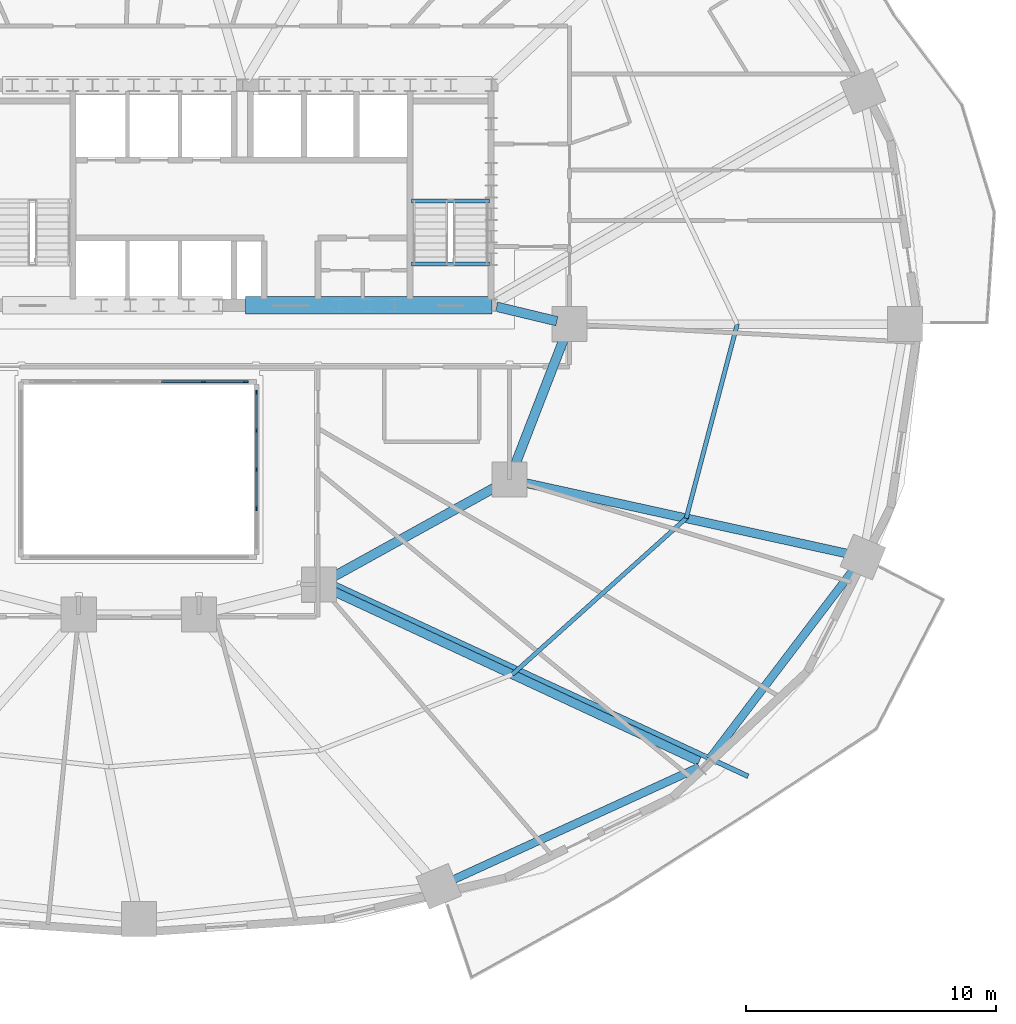
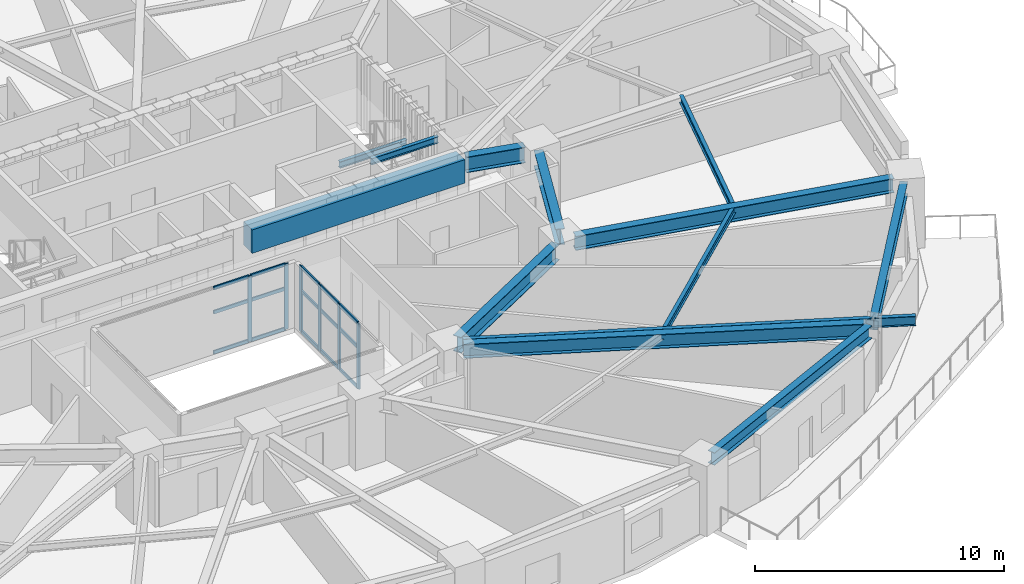
# One storey, part 6 of 18: 21 members, 13 beams, 2 elements without a shape of their own.
"""IFC4 building model written with IfcOpenShell, lengths in metres."""

from ifc_helpers import new_model, si_unit, direction, frame, origin, origin_2d, place, context, subcontext, project, spatial, rectangle, i_section, extrude, material, material_profile, profile_set, type_object, element, aggregate, save


model = new_model("IFC4")

# Units and contexts
model_context = context("Model", 3, precision=1e-05, world=origin(), true_north=direction((0.0, 1.0)))
body_context = subcontext(model_context, "Body", "Model", "MODEL_VIEW")
ifc_project = project(units=[si_unit("LENGTHUNIT", "METRE"), si_unit("AREAUNIT", "SQUARE_METRE"), si_unit("VOLUMEUNIT", "CUBIC_METRE"), si_unit("PLANEANGLEUNIT", "RADIAN"), si_unit("MASSUNIT", "GRAM", prefix="KILO")], contexts=[model_context])

# Site, building, storey
site_placement = place(None, origin())
site = spatial("IfcSite", under=ifc_project, at=site_placement, CompositionType="ELEMENT")
building_placement = place(site_placement, origin())
building = spatial("IfcBuilding", under=site, at=building_placement, Name="Haldorwick Loom Tower", CompositionType="ELEMENT")
storey_placement = place(building_placement, frame((0.0, 0.0, 41.25)))
storey = spatial("IfcBuildingStorey", under=building, at=storey_placement, Name="L10", CompositionType="ELEMENT", Elevation=41.25)

# Curtain wall, members
ifc_material_1 = material(Name="Thermally Broken Anodized Aluminium Curtain Wall Framing", Category="aluminium")
curtain_wall_type = type_object("IfcCurtainWallType", Name="ARC-CW-03", PredefinedType="NOTDEFINED", material=ifc_material_1)
curtain_wall_1_placement = place(storey_placement, origin())
curtain_wall_1 = element("IfcCurtainWall", 1, at=curtain_wall_1_placement, inside=storey, type_object=curtain_wall_type, Name="L10 Atrium Glazed Screen N", PredefinedType="NOTDEFINED")
ifc_material_profile_1 = material_profile(ifc_material_1, rectangle(XDim=0.06591796875, YDim=0.18505859375, at=origin_2d()), Name="ALU_MUL_66X185", Category="aluminium")
ifc_profile_set_1 = profile_set([ifc_material_profile_1], Name="Thermally Broken Anodized Aluminium Curtain Wall Framing")
member_type_1 = type_object("IfcMemberType", Name="ARC-CWM-03", PredefinedType="MULLION", material=ifc_profile_set_1)
member_1_placement = place(storey_placement, frame((38.580078125, 23.699951171875, 0.0), z_axis=(0.0, 0.0, 1.0), x_axis=(0.0, 1.0, 0.0)))
member_1 = element("IfcMember", 2, at=member_1_placement, type_object=member_type_1, Name="CW-03 mullion 5", PredefinedType="MULLION", context=body_context, shape_type="SweptSolid", body=[
    extrude(rectangle(XDim=0.06591796875, YDim=0.18505859375, at=origin_2d()), origin(), (0.0, 0.0, 1.0), 3.2099609375),
])
member_2_placement = place(storey_placement, frame((40.26708984375, 23.699951171875, 0.0), z_axis=(0.0, 0.0, 1.0), x_axis=(0.0, 1.0, 0.0)))
member_2 = element("IfcMember", 3, at=member_2_placement, type_object=member_type_1, Name="CW-03 mullion 6", PredefinedType="MULLION", context=body_context, shape_type="SweptSolid", body=[
    extrude(rectangle(XDim=0.06591796875, YDim=0.18505859375, at=origin_2d()), origin(), (0.0, 0.0, 1.0), 3.2099609375),
])

curtain_wall_2_placement = place(storey_placement, origin())
curtain_wall_2 = element("IfcCurtainWall", 4, at=curtain_wall_2_placement, inside=storey, type_object=curtain_wall_type, Name="L10 Atrium Glazed Screen E", PredefinedType="NOTDEFINED")
member_3_placement = place(storey_placement, frame((40.699951171875, 23.26708984375, 0.0), z_axis=(0.0, 0.0, 1.0), x_axis=(1.0, 0.0, 0.0)))
member_3 = element("IfcMember", 5, at=member_3_placement, type_object=member_type_1, Name="CW-03 mullion 1", PredefinedType="MULLION", context=body_context, shape_type="SweptSolid", body=[
    extrude(rectangle(XDim=0.06591796875, YDim=0.18505859375, at=origin_2d()), origin(), (0.0, 0.0, 1.0), 3.2099609375),
])
member_4_placement = place(storey_placement, frame((40.699951171875, 21.75, 0.0), z_axis=(0.0, 0.0, 1.0), x_axis=(1.0, 0.0, 0.0)))
member_4 = element("IfcMember", 6, at=member_4_placement, type_object=member_type_1, Name="CW-03 mullion 2", PredefinedType="MULLION", context=body_context, shape_type="SweptSolid", body=[
    extrude(rectangle(XDim=0.06591796875, YDim=0.18505859375, at=origin_2d()), origin(), (0.0, 0.0, 1.0), 3.2099609375),
])
member_5_placement = place(storey_placement, frame((40.699951171875, 20.199951171875, 0.0), z_axis=(0.0, 0.0, 1.0), x_axis=(1.0, 0.0, 0.0)))
member_5 = element("IfcMember", 7, at=member_5_placement, type_object=member_type_1, Name="CW-03 mullion 3", PredefinedType="MULLION", context=body_context, shape_type="SweptSolid", body=[
    extrude(rectangle(XDim=0.06591796875, YDim=0.18505859375, at=origin_2d()), origin(), (0.0, 0.0, 1.0), 3.2099609375),
])
member_6_placement = place(storey_placement, frame((40.699951171875, 18.64990234375, 0.0), z_axis=(0.0, 0.0, 1.0), x_axis=(1.0, 0.0, 0.0)))
member_6 = element("IfcMember", 8, at=member_6_placement, type_object=member_type_1, Name="CW-03 mullion 4", PredefinedType="MULLION", context=body_context, shape_type="SweptSolid", body=[
    extrude(rectangle(XDim=0.06591796875, YDim=0.18505859375, at=origin_2d()), origin(), (0.0, 0.0, 1.0), 3.2099609375),
])

# Member
ifc_material_profile_2 = material_profile(ifc_material_1, rectangle(XDim=0.06591796875, YDim=0.1650390625, at=origin_2d()), Name="ALU_TRN_66X165", Category="aluminium")
ifc_profile_set_2 = profile_set([ifc_material_profile_2], Name="Thermally Broken Anodized Aluminium Curtain Wall Framing")
member_type_2 = type_object("IfcMemberType", Name="ARC-CWT-03", PredefinedType="USERDEFINED", material=ifc_profile_set_2)
member_7_placement = place(storey_placement, frame((36.89306640625, 23.699951171875, 0.032958984375), z_axis=(1.0, 0.0, 0.0), x_axis=(0.0, 1.0, 0.0)))
member_7 = element("IfcMember", 9, at=member_7_placement, type_object=member_type_2, Name="CW-03 transom 4.1", ObjectType="TRANSOM", PredefinedType="USERDEFINED", context=body_context, shape_type="SweptSolid", body=[
    extrude(rectangle(XDim=0.06591796875, YDim=0.1650390625, at=origin_2d()), origin(), (0.0, 0.0, 1.0), 1.654052734375),
])

member_8_placement = place(storey_placement, frame((36.89306640625, 23.699951171875, 2.0), z_axis=(1.0, 0.0, 0.0), x_axis=(0.0, 1.0, 0.0)))
member_8 = element("IfcMember", 10, at=member_8_placement, type_object=member_type_2, Name="CW-03 transom 4.2", ObjectType="TRANSOM", PredefinedType="USERDEFINED", context=body_context, shape_type="SweptSolid", body=[
    extrude(rectangle(XDim=0.06591796875, YDim=0.1650390625, at=origin_2d()), origin(), (0.0, 0.0, 1.0), 1.654052734375),
])

member_9_placement = place(storey_placement, frame((36.89306640625, 23.699951171875, 3.177001953125), z_axis=(1.0, 0.0, 0.0), x_axis=(0.0, 1.0, 0.0)))
member_9 = element("IfcMember", 11, at=member_9_placement, type_object=member_type_2, Name="CW-03 transom 4.3", ObjectType="TRANSOM", PredefinedType="USERDEFINED", context=body_context, shape_type="SweptSolid", body=[
    extrude(rectangle(XDim=0.06591796875, YDim=0.1650390625, at=origin_2d()), origin(), (0.0, 0.0, 1.0), 1.654052734375),
])

member_10_placement = place(storey_placement, frame((38.613037109375, 23.699951171875, 0.032958984375), z_axis=(1.0, 0.0, 0.0), x_axis=(0.0, 1.0, 0.0)))
member_10 = element("IfcMember", 12, at=member_10_placement, type_object=member_type_2, Name="CW-03 transom 5.1", ObjectType="TRANSOM", PredefinedType="USERDEFINED", context=body_context, shape_type="SweptSolid", body=[
    extrude(rectangle(XDim=0.06591796875, YDim=0.1650390625, at=origin_2d()), origin(), (0.0, 0.0, 1.0), 1.620849609375),
])

member_11_placement = place(storey_placement, frame((38.613037109375, 23.699951171875, 2.0), z_axis=(1.0, 0.0, 0.0), x_axis=(0.0, 1.0, 0.0)))
member_11 = element("IfcMember", 13, at=member_11_placement, type_object=member_type_2, Name="CW-03 transom 5.2", ObjectType="TRANSOM", PredefinedType="USERDEFINED", context=body_context, shape_type="SweptSolid", body=[
    extrude(rectangle(XDim=0.06591796875, YDim=0.1650390625, at=origin_2d()), origin(), (0.0, 0.0, 1.0), 1.620849609375),
])

member_12_placement = place(storey_placement, frame((38.613037109375, 23.699951171875, 3.177001953125), z_axis=(1.0, 0.0, 0.0), x_axis=(0.0, 1.0, 0.0)))
member_12 = element("IfcMember", 14, at=member_12_placement, type_object=member_type_2, Name="CW-03 transom 5.3", ObjectType="TRANSOM", PredefinedType="USERDEFINED", context=body_context, shape_type="SweptSolid", body=[
    extrude(rectangle(XDim=0.06591796875, YDim=0.1650390625, at=origin_2d()), origin(), (0.0, 0.0, 1.0), 1.620849609375),
])

aggregate(curtain_wall_1, [member_1, member_2, member_7, member_8, member_9, member_10, member_11, member_12])

member_13_placement = place(storey_placement, frame((40.699951171875, 23.23388671875, 0.032958984375), z_axis=(0.0, -1.0, 0.0), x_axis=(1.0, 0.0, 0.0)))
member_13 = element("IfcMember", 15, at=member_13_placement, type_object=member_type_2, Name="CW-03 transom 1.1", ObjectType="TRANSOM", PredefinedType="USERDEFINED", context=body_context, shape_type="SweptSolid", body=[
    extrude(rectangle(XDim=0.06591796875, YDim=0.1650390625, at=origin_2d()), origin(), (0.0, 0.0, 1.0), 1.450927734375),
])

member_14_placement = place(storey_placement, frame((40.699951171875, 23.23388671875, 2.0), z_axis=(0.0, -1.0, 0.0), x_axis=(1.0, 0.0, 0.0)))
member_14 = element("IfcMember", 16, at=member_14_placement, type_object=member_type_2, Name="CW-03 transom 1.2", ObjectType="TRANSOM", PredefinedType="USERDEFINED", context=body_context, shape_type="SweptSolid", body=[
    extrude(rectangle(XDim=0.06591796875, YDim=0.1650390625, at=origin_2d()), origin(), (0.0, 0.0, 1.0), 1.450927734375),
])

member_15_placement = place(storey_placement, frame((40.699951171875, 23.23388671875, 3.177001953125), z_axis=(0.0, -1.0, 0.0), x_axis=(1.0, 0.0, 0.0)))
member_15 = element("IfcMember", 17, at=member_15_placement, type_object=member_type_2, Name="CW-03 transom 1.3", ObjectType="TRANSOM", PredefinedType="USERDEFINED", context=body_context, shape_type="SweptSolid", body=[
    extrude(rectangle(XDim=0.06591796875, YDim=0.1650390625, at=origin_2d()), origin(), (0.0, 0.0, 1.0), 1.450927734375),
])

member_16_placement = place(storey_placement, frame((40.699951171875, 21.717041015625, 0.032958984375), z_axis=(0.0, -1.0, 0.0), x_axis=(1.0, 0.0, 0.0)))
member_16 = element("IfcMember", 18, at=member_16_placement, type_object=member_type_2, Name="CW-03 transom 2.1", ObjectType="TRANSOM", PredefinedType="USERDEFINED", context=body_context, shape_type="SweptSolid", body=[
    extrude(rectangle(XDim=0.06591796875, YDim=0.1650390625, at=origin_2d()), origin(), (0.0, 0.0, 1.0), 1.484130859375),
])

member_17_placement = place(storey_placement, frame((40.699951171875, 21.717041015625, 2.0), z_axis=(0.0, -1.0, 0.0), x_axis=(1.0, 0.0, 0.0)))
member_17 = element("IfcMember", 19, at=member_17_placement, type_object=member_type_2, Name="CW-03 transom 2.2", ObjectType="TRANSOM", PredefinedType="USERDEFINED", context=body_context, shape_type="SweptSolid", body=[
    extrude(rectangle(XDim=0.06591796875, YDim=0.1650390625, at=origin_2d()), origin(), (0.0, 0.0, 1.0), 1.484130859375),
])

member_18_placement = place(storey_placement, frame((40.699951171875, 21.717041015625, 3.177001953125), z_axis=(0.0, -1.0, 0.0), x_axis=(1.0, 0.0, 0.0)))
member_18 = element("IfcMember", 20, at=member_18_placement, type_object=member_type_2, Name="CW-03 transom 2.3", ObjectType="TRANSOM", PredefinedType="USERDEFINED", context=body_context, shape_type="SweptSolid", body=[
    extrude(rectangle(XDim=0.06591796875, YDim=0.1650390625, at=origin_2d()), origin(), (0.0, 0.0, 1.0), 1.484130859375),
])

member_19_placement = place(storey_placement, frame((40.699951171875, 20.1669921875, 0.032958984375), z_axis=(0.0, -1.0, 0.0), x_axis=(1.0, 0.0, 0.0)))
member_19 = element("IfcMember", 21, at=member_19_placement, type_object=member_type_2, Name="CW-03 transom 3.1", ObjectType="TRANSOM", PredefinedType="USERDEFINED", context=body_context, shape_type="SweptSolid", body=[
    extrude(rectangle(XDim=0.06591796875, YDim=0.1650390625, at=origin_2d()), origin(), (0.0, 0.0, 1.0), 1.48388671875),
])

member_20_placement = place(storey_placement, frame((40.699951171875, 20.1669921875, 2.0), z_axis=(0.0, -1.0, 0.0), x_axis=(1.0, 0.0, 0.0)))
member_20 = element("IfcMember", 22, at=member_20_placement, type_object=member_type_2, Name="CW-03 transom 3.2", ObjectType="TRANSOM", PredefinedType="USERDEFINED", context=body_context, shape_type="SweptSolid", body=[
    extrude(rectangle(XDim=0.06591796875, YDim=0.1650390625, at=origin_2d()), origin(), (0.0, 0.0, 1.0), 1.48388671875),
])

member_21_placement = place(storey_placement, frame((40.699951171875, 20.1669921875, 3.177001953125), z_axis=(0.0, -1.0, 0.0), x_axis=(1.0, 0.0, 0.0)))
member_21 = element("IfcMember", 23, at=member_21_placement, type_object=member_type_2, Name="CW-03 transom 3.3", ObjectType="TRANSOM", PredefinedType="USERDEFINED", context=body_context, shape_type="SweptSolid", body=[
    extrude(rectangle(XDim=0.06591796875, YDim=0.1650390625, at=origin_2d()), origin(), (0.0, 0.0, 1.0), 1.48388671875),
])

aggregate(curtain_wall_2, [member_3, member_4, member_5, member_6, member_13, member_14, member_15, member_16, member_17, member_18, member_19, member_20, member_21])

# Beams
ifc_material_2 = material(Name="Steel CSA G40.21 350W", Category="steel")
ifc_material_profile_3 = material_profile(ifc_material_2, i_section(OverallWidth=0.193115234375, OverallDepth=0.466064453125, WebThickness=0.011474609375, FlangeThickness=0.01904296875, at=origin_2d()), Name="W460X97", Category="steel")
ifc_profile_set_3 = profile_set([ifc_material_profile_3], Name="Steel CSA G40.21 350W")
beam_type_1 = type_object("IfcBeamType", Name="STR-BM-BAL460", PredefinedType="BEAM", material=ifc_profile_set_3)
beam_1_placement = place(storey_placement, frame((43.78955078125, 15.634765625, 2.97705078125), z_axis=(0.906835669686, -0.42148436292, 0.0), x_axis=(0.42148436292, 0.906835669686, 0.0)))
element("IfcBeam", 24, at=beam_1_placement, inside=storey, type_object=beam_type_1, Name="L10 Continuous Back-Spanned Balcony Beam 1", PredefinedType="BEAM", context=body_context, shape_type="SweptSolid", body=[
    extrude(i_section(OverallWidth=0.193115234375, OverallDepth=0.466064453125, WebThickness=0.011474609375, FlangeThickness=0.01904296875, at=origin_2d()), origin(), (0.0, 0.0, 1.0), 18.245361328125),
])
ifc_material_3 = material(Name="Concrete C60 (60 MPa)", Category="concrete")
ifc_material_profile_4 = material_profile(ifc_material_3, rectangle(XDim=0.699951171875, YDim=1.14990234375, at=origin_2d()), Name="RC700X1150", Category="concrete")
ifc_profile_set_4 = profile_set([ifc_material_profile_4], Name="Concrete C60 (60 MPa)")
beam_type_2 = type_object("IfcBeamType", Name="STR-BM-CB1150", PredefinedType="LINTEL", material=ifc_profile_set_4)
beam_2_placement = place(storey_placement, frame((40.25, 26.75, 2.635009765625), z_axis=(1.0, 0.0, 0.0), x_axis=(0.0, 1.0, 0.0)))
element("IfcBeam", 25, at=beam_2_placement, inside=storey, type_object=beam_type_2, Name="L10 Core Coupling Beam CB-S3", PredefinedType="LINTEL", context=body_context, shape_type="SweptSolid", body=[
    extrude(rectangle(XDim=0.699951171875, YDim=1.14990234375, at=origin_2d()), origin(), (0.0, 0.0, 1.0), 9.85009765625),
])
ifc_material_profile_5 = material_profile(ifc_material_2, i_section(OverallWidth=0.172119140625, OverallDepth=0.35791015625, WebThickness=0.0078125, FlangeThickness=0.01318359375, at=origin_2d()), Name="W360X57", Category="steel")
ifc_profile_set_5 = profile_set([ifc_material_profile_5], Name="Steel CSA G40.21 350W")
beam_type_3 = type_object("IfcBeamType", Name="STR-BM-J360", PredefinedType="JOIST", material=ifc_profile_set_5)
beam_3_placement = place(storey_placement, frame((50.9150390625, 12.01416015625, 3.031005859375), z_axis=(0.743981830112, 0.668199847698, 0.0), x_axis=(-0.668199847698, 0.743981830112, 0.0)))
element("IfcBeam", 26, at=beam_3_placement, inside=storey, type_object=beam_type_3, Name="L10 Mid-Bay Secondary Joist 15", PredefinedType="JOIST", context=body_context, shape_type="SweptSolid", body=[
    extrude(i_section(OverallWidth=0.172119140625, OverallDepth=0.35791015625, WebThickness=0.0078125, FlangeThickness=0.01318359375, at=origin_2d()), origin(), (0.0, 0.0, 1.0), 9.3330078125),
])
beam_4_placement = place(storey_placement, frame((57.858642578125, 18.25048828125, 3.031005859375), z_axis=(0.2544888003, 0.967075721193, 0.0), x_axis=(-0.967075721193, 0.2544888003, 0.0)))
element("IfcBeam", 27, at=beam_4_placement, inside=storey, type_object=beam_type_3, Name="L10 Mid-Bay Secondary Joist 16", PredefinedType="JOIST", context=body_context, shape_type="SweptSolid", body=[
    extrude(i_section(OverallWidth=0.172119140625, OverallDepth=0.35791015625, WebThickness=0.0078125, FlangeThickness=0.01318359375, at=origin_2d()), origin(), (0.0, 0.0, 1.0), 8.013427734375),
])
ifc_material_profile_6 = material_profile(ifc_material_2, i_section(OverallWidth=0.324951171875, OverallDepth=0.615966796875, WebThickness=0.013916015625, FlangeThickness=0.021484375, at=origin_2d()), Name="W610X174", Category="steel")
ifc_profile_set_6 = profile_set([ifc_material_profile_6], Name="Steel CSA G40.21 350W")
beam_type_4 = type_object("IfcBeamType", Name="STR-BM-SP610", PredefinedType="SPANDREL", material=ifc_profile_set_6)
beam_5_placement = place(storey_placement, frame((48.45068359375, 3.76611328125, 2.902099609375), z_axis=(0.909173805321, 0.416416848504, 0.0), x_axis=(-0.416416848504, 0.909173805321, 0.0)))
element("IfcBeam", 28, at=beam_5_placement, inside=storey, type_object=beam_type_4, Name="L10 Perimeter Spandrel 14", PredefinedType="SPANDREL", context=body_context, shape_type="SweptSolid", body=[
    extrude(i_section(OverallWidth=0.324951171875, OverallDepth=0.615966796875, WebThickness=0.013916015625, FlangeThickness=0.021484375, at=origin_2d()), origin(), (0.0, 0.0, 1.0), 10.92138671875),
])
beam_6_placement = place(storey_placement, frame((58.796630859375, 8.647216796875, 2.902099609375), z_axis=(0.605084557744, 0.796161213562, 0.0), x_axis=(-0.796161213562, 0.605084557744, 0.0)))
element("IfcBeam", 29, at=beam_6_placement, inside=storey, type_object=beam_type_4, Name="L10 Perimeter Spandrel 15", PredefinedType="SPANDREL", context=body_context, shape_type="SweptSolid", body=[
    extrude(i_section(OverallWidth=0.324951171875, OverallDepth=0.615966796875, WebThickness=0.013916015625, FlangeThickness=0.021484375, at=origin_2d()), origin(), (0.0, 0.0, 1.0), 9.595703125),
])
ifc_material_profile_7 = material_profile(ifc_material_2, i_section(OverallWidth=0.166015625, OverallDepth=0.31298828125, WebThickness=0.006591796875, FlangeThickness=0.01123046875, at=origin_2d()), Name="W310X45", Category="steel")
ifc_profile_set_7 = profile_set([ifc_material_profile_7], Name="Steel CSA G40.21 350W")
beam_type_5 = type_object("IfcBeamType", Name="STR-BM-STRM", PredefinedType="BEAM", material=ifc_profile_set_7)
for number, where, z_axis, x_axis, name in (
    (30, (46.889892578125, 28.39990234375, 3.053466796875), (1.0, 0.0, 0.0), (0.0, 1.0, 0.0), "L10 Stair ST-02 Landing Edge Trimmer"),
    (31, (46.889892578125, 30.919921875, 1.368408203125), (1.0, 0.0, 0.0), (0.0, 1.0, 0.0), "L10 Stair ST-02 Half-Landing Trimmer 1"),
):
    element("IfcBeam", number, at=place(storey_placement, frame(where, z_axis=z_axis, x_axis=x_axis)), inside=storey, type_object=beam_type_5, Name=name, PredefinedType="BEAM", context=body_context, shape_type="SweptSolid", body=[
        extrude(i_section(OverallWidth=0.166015625, OverallDepth=0.31298828125, WebThickness=0.006591796875, FlangeThickness=0.01123046875, at=origin_2d()), origin(), (0.0, 0.0, 1.0), 3.1201171875),
    ])
ifc_material_profile_8 = material_profile(ifc_material_2, i_section(OverallWidth=0.35498046875, OverallDepth=0.695068359375, WebThickness=0.015380859375, FlangeThickness=0.02490234375, at=origin_2d()), Name="W690X217", Category="steel")
ifc_profile_set_8 = profile_set([ifc_material_profile_8], Name="Steel CSA G40.21 350W")
beam_type_6 = type_object("IfcBeamType", Name="STR-BM-W690", PredefinedType="BEAM", material=ifc_profile_set_8)
beam_7_placement = place(storey_placement, frame((43.671630859375, 15.380859375, 2.862548828125), z_axis=(0.90683498532, -0.421485835349, 0.0), x_axis=(0.421485835349, 0.90683498532, 0.0)))
element("IfcBeam", 32, at=beam_7_placement, inside=storey, type_object=beam_type_6, Name="L10 Radial Floor Girder 15", PredefinedType="BEAM", context=body_context, shape_type="SweptSolid", body=[
    extrude(i_section(OverallWidth=0.35498046875, OverallDepth=0.695068359375, WebThickness=0.015380859375, FlangeThickness=0.02490234375, at=origin_2d()), origin(), (0.0, 0.0, 1.0), 16.220458984375),
])
beam_8_placement = place(storey_placement, frame((51.307861328125, 19.6884765625, 2.862548828125), z_axis=(0.976740159434, -0.214426353203, 0.0), x_axis=(0.214426353203, 0.976740159434, 0.0)))
element("IfcBeam", 33, at=beam_8_placement, inside=storey, type_object=beam_type_6, Name="L10 Radial Floor Girder 16", PredefinedType="BEAM", context=body_context, shape_type="SweptSolid", body=[
    extrude(i_section(OverallWidth=0.35498046875, OverallDepth=0.695068359375, WebThickness=0.015380859375, FlangeThickness=0.02490234375, at=origin_2d()), origin(), (0.0, 0.0, 1.0), 13.41357421875),
])
ifc_material_profile_9 = material_profile(ifc_material_2, i_section(OverallWidth=0.381103515625, OverallDepth=0.77294921875, WebThickness=0.0166015625, FlangeThickness=0.027587890625, at=origin_2d()), Name="W760X257", Category="steel")
ifc_profile_set_9 = profile_set([ifc_material_profile_9], Name="Steel CSA G40.21 350W")
beam_type_7 = type_object("IfcBeamType", Name="STR-BM-W760", PredefinedType="BEAM", material=ifc_profile_set_9)
beam_9_placement = place(storey_placement, frame((50.288818359375, 26.697509765625, 2.823486328125), z_axis=(0.97247055837, -0.233025777764, 0.0), x_axis=(0.233025777764, 0.97247055837, 0.0)))
element("IfcBeam", 34, at=beam_9_placement, inside=storey, type_object=beam_type_7, Name="L10 Inner Ring Girder 1", PredefinedType="BEAM", context=body_context, shape_type="SweptSolid", body=[
    extrude(i_section(OverallWidth=0.381103515625, OverallDepth=0.77294921875, WebThickness=0.0166015625, FlangeThickness=0.027587890625, at=origin_2d()), origin(), (0.0, 0.0, 1.0), 2.4736328125),
])
beam_10_placement = place(storey_placement, frame((53.01220703125, 25.51513671875, 2.823486328125), z_axis=(-0.360964792353, -0.93257944363, 0.0), x_axis=(0.93257944363, -0.360964792353, 0.0)))
element("IfcBeam", 35, at=beam_10_placement, inside=storey, type_object=beam_type_7, Name="L10 Inner Ring Girder 2", PredefinedType="BEAM", context=body_context, shape_type="SweptSolid", body=[
    extrude(i_section(OverallWidth=0.381103515625, OverallDepth=0.77294921875, WebThickness=0.0166015625, FlangeThickness=0.027587890625, at=origin_2d()), origin(), (0.0, 0.0, 1.0), 5.6083984375),
])
beam_11_placement = place(storey_placement, frame((50.344970703125, 19.548583984375, 2.823486328125), z_axis=(-0.875244382146, -0.483680960471, 0.0), x_axis=(0.483680960471, -0.875244382146, 0.0)))
element("IfcBeam", 36, at=beam_11_placement, inside=storey, type_object=beam_type_7, Name="L10 Inner Ring Girder 3", PredefinedType="BEAM", context=body_context, shape_type="SweptSolid", body=[
    extrude(i_section(OverallWidth=0.381103515625, OverallDepth=0.77294921875, WebThickness=0.0166015625, FlangeThickness=0.027587890625, at=origin_2d()), origin(), (0.0, 0.0, 1.0), 7.6435546875),
])

save(model, "model.ifc")
